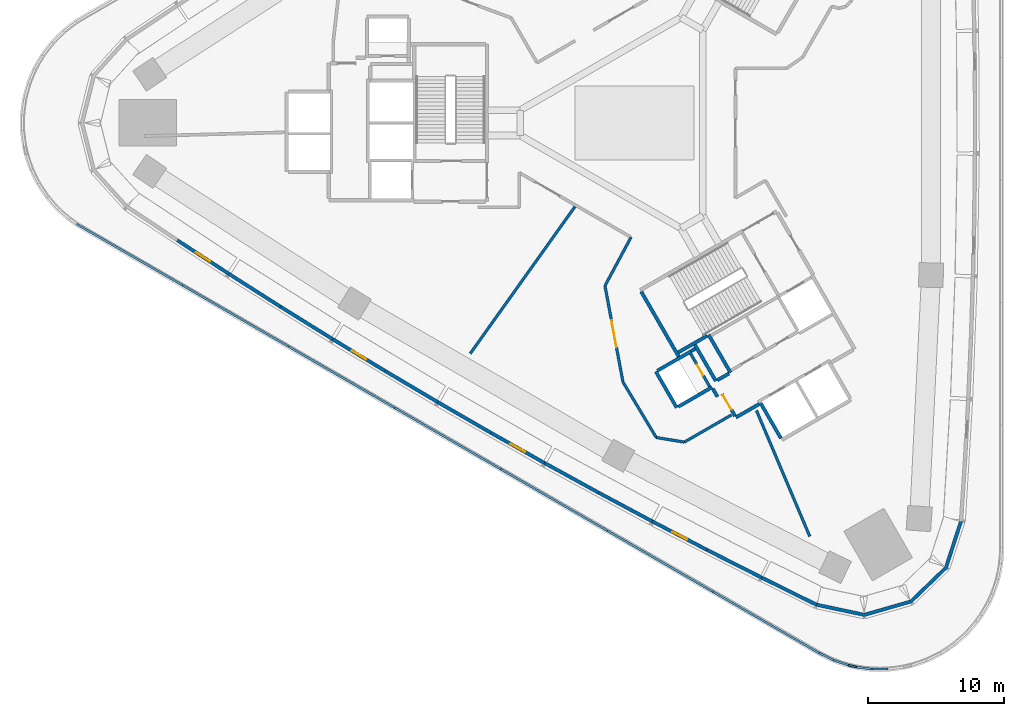
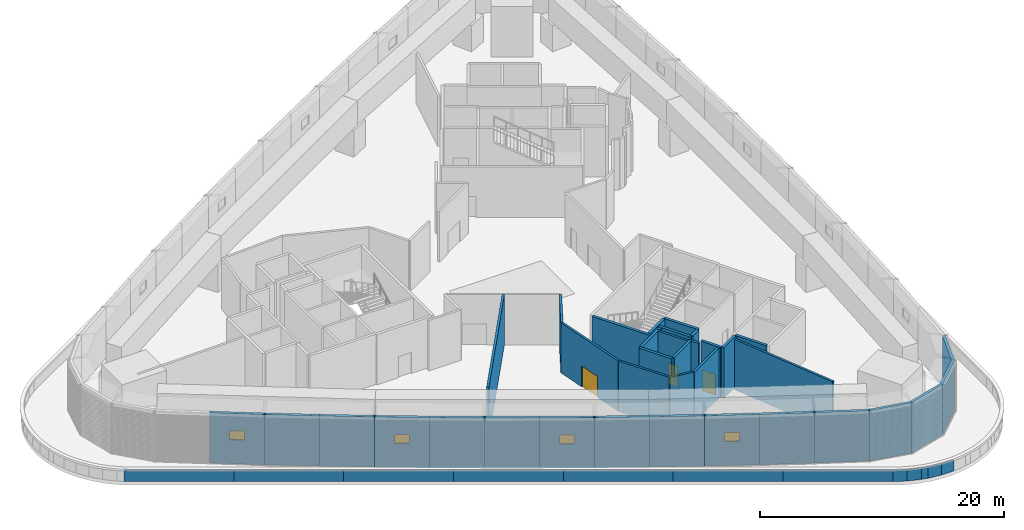
# One storey, part 2 of 11: 46 walls, 4 windows, 3 doors, 7 openings.
"""IFC4 building model written with IfcOpenShell, lengths in metres."""

from ifc_helpers import new_model, si_unit, direction, frame, frame_2d, origin, place, context, subcontext, project, spatial, polyline, rectangle, outline, extrude, material, layer, layer_set, type_object, element, fill, save


model = new_model("IFC4")

# Units and contexts
model_context = context("Model", 3, precision=1e-05, world=origin(), true_north=direction((0.0, 1.0)))
body_context = subcontext(model_context, "Body", "Model", "MODEL_VIEW")
ifc_project = project(units=[si_unit("LENGTHUNIT", "METRE"), si_unit("AREAUNIT", "SQUARE_METRE"), si_unit("VOLUMEUNIT", "CUBIC_METRE"), si_unit("PLANEANGLEUNIT", "RADIAN"), si_unit("MASSUNIT", "GRAM", prefix="KILO")], contexts=[model_context])

# Site, building, storey
site_placement = place(None, origin())
site = spatial("IfcSite", under=ifc_project, at=site_placement, CompositionType="ELEMENT")
building_placement = place(site_placement, origin())
building = spatial("IfcBuilding", under=site, at=building_placement, Name="Tamra Quay Hotel Tower", CompositionType="ELEMENT")
storey_placement = place(building_placement, frame((0.0, 0.0, 29.5)))
storey = spatial("IfcBuildingStorey", under=building, at=storey_placement, Name="L05", CompositionType="ELEMENT", Elevation=29.5)

# Wall, opening, door
ifc_material_1 = material(Name="Concrete M70", Category="concrete")
ifc_layer_1 = layer(ifc_material_1, 0.199951171875)
ifc_layer_set_1 = layer_set([ifc_layer_1], Name="Concrete M70 core wall 200")
wall_type_1 = type_object("IfcWallType", Name="Concrete M70 core wall 200", PredefinedType="SHEAR", material=ifc_layer_set_1)
wall_1_placement = place(storey_placement, frame((5.50341796875, -19.352294921875, 0.0), z_axis=(0.0, 0.0, 1.0), x_axis=(-0.499986818241, 0.866033014143, 0.0)))
wall_1 = element("IfcWall", 1, at=wall_1_placement, inside=storey, type_object=wall_type_1, Name="CW2", PredefinedType="SHEAR", context=body_context, shape_type="SweptSolid", body=[
    extrude(rectangle(XDim=2.7978515625, YDim=0.199951171875, at=frame_2d((1.39892578125, 0.0))), origin(), (0.0, 0.0, 1.0), 5.02490234375),
])
opening_1_placement = place(wall_1_placement, frame((0.948974609375, 0.0, 0.0)))
opening_1 = element("IfcOpeningElement", 2, at=opening_1_placement, cuts=wall_1, Name="Opening D1", PredefinedType="OPENING", context=body_context, shape_type="SweptSolid", body=[
    extrude(rectangle(XDim=0.89990234375, YDim=2.10009765625, at=frame_2d((0.449951171875, 1.050048828125))), frame((0.0, 0.10986328125, 0.0), z_axis=(0.0, -1.0, 0.0), x_axis=(1.0, 0.0, 0.0)), (0.0, 0.0, 1.0), 0.219970703125),
])
ifc_material_2 = material(Name="Core door D1 900x2100 RH")
door_type_1 = type_object("IfcDoorType", Name="Core door D1 900x2100 RH", OperationType="NOTDEFINED", PredefinedType="DOOR", material=ifc_material_2)
door_1_placement = place(opening_1_placement, origin())
door_1 = element("IfcDoor", 3, at=door_1_placement, inside=storey, type_object=door_type_1, Name="D1", OperationType="SINGLE_SWING_RIGHT", OverallHeight=2.10009765625, OverallWidth=0.89990234375, PredefinedType="DOOR", context=body_context, shape_type="SweptSolid", body=[
    extrude(rectangle(XDim=0.89990234375, YDim=2.10009765625, at=frame_2d((0.449951171875, 1.050048828125))), frame((0.0, 0.02490234375, 0.0), z_axis=(0.0, -1.0, 0.0), x_axis=(1.0, 0.0, 0.0)), (0.0, 0.0, 1.0), 0.050048828125),
])
fill(opening_1, door_1)

# Walls
ifc_layer_2 = layer(ifc_material_1, 0.25)
ifc_layer_set_2 = layer_set([ifc_layer_2], Name="Concrete M70 core wall 250")
wall_type_2 = type_object("IfcWallType", Name="Concrete M70 core wall 250", PredefinedType="SHEAR", material=ifc_layer_set_2)
wall_2_placement = place(storey_placement, frame((3.23486328125, -17.15283203125, 0.0), z_axis=(0.0, 0.0, 1.0), x_axis=(-0.500008851346, 0.866020293397, 0.0)))
element("IfcWall", 4, at=wall_2_placement, inside=storey, type_object=wall_type_2, Name="CW1", PredefinedType="SHEAR", context=body_context, shape_type="SweptSolid", body=[
    extrude(rectangle(XDim=5.509765625, YDim=0.25, at=frame_2d((2.7548828125, 0.0))), origin(), (0.0, 0.0, 1.0), 5.02490234375),
])
wall_3_placement = place(storey_placement, frame((7.030517578125, -18.327392578125, 0.0), z_axis=(0.0, 0.0, 1.0), x_axis=(-0.499971222258, 0.866042017984, 0.0)))
element("IfcWall", 5, at=wall_3_placement, inside=storey, type_object=wall_type_2, Name="CW1", PredefinedType="SHEAR", context=body_context, shape_type="SweptSolid", body=[
    extrude(rectangle(XDim=3.199951171875, YDim=0.25, at=frame_2d((1.60009765625, 0.0))), origin(), (0.0, 0.0, 1.0), 5.02490234375),
])
wall_4_placement = place(storey_placement, frame((10.73583984375, -23.144775390625, 0.0), z_axis=(0.0, 0.0, 1.0), x_axis=(-0.500023226632, 0.866011993467, 0.0)))
element("IfcWall", 6, at=wall_4_placement, inside=storey, type_object=wall_type_2, Name="CW1", PredefinedType="SHEAR", context=body_context, shape_type="SweptSolid", body=[
    extrude(rectangle(XDim=2.974365234375, YDim=0.25, at=frame_2d((1.4873046875, 0.0))), origin(), (0.0, 0.0, 1.0), 5.02490234375),
])
wall_5_placement = place(storey_placement, frame((3.085205078125, -20.893798828125, 0.0), z_axis=(0.0, 0.0, 1.0), x_axis=(-0.499978833458, 0.866037623948, 0.0)))
element("IfcWall", 7, at=wall_5_placement, inside=storey, type_object=wall_type_2, Name="CW1", PredefinedType="SHEAR", context=body_context, shape_type="SweptSolid", body=[
    extrude(rectangle(XDim=3.050048828125, YDim=0.25, at=frame_2d((1.52490234375, 0.0))), origin(), (0.0, 0.0, 1.0), 5.02490234375),
])
wall_6_placement = place(storey_placement, frame((1.6689453125, -18.189697265625, 0.0), z_axis=(0.0, 0.0, 1.0), x_axis=(0.866042235819, 0.499970844928, 0.0)))
element("IfcWall", 8, at=wall_6_placement, inside=storey, type_object=wall_type_2, Name="CW1", PredefinedType="SHEAR", context=body_context, shape_type="SweptSolid", body=[
    extrude(rectangle(XDim=2.864501953125, YDim=0.25, at=frame_2d((1.43212890625, 0.0))), origin(), (0.0, 0.0, 1.0), 5.02490234375),
])
wall_7_placement = place(storey_placement, frame((5.6748046875, -19.39892578125, 0.0), z_axis=(0.0, 0.0, 1.0), x_axis=(-0.866026637627, -0.499997862916, 0.0)))
element("IfcWall", 9, at=wall_7_placement, inside=storey, type_object=wall_type_2, Name="CW1", PredefinedType="SHEAR", context=body_context, shape_type="SweptSolid", body=[
    extrude(rectangle(XDim=2.86474609375, YDim=0.25, at=frame_2d((1.432373046875, 0.0))), origin(), (0.0, 0.0, 1.0), 5.02490234375),
])
wall_8_placement = place(storey_placement, frame((4.414306640625, -16.275634765625, 0.0), z_axis=(0.0, 0.0, 1.0), x_axis=(0.500003324108, -0.866023484601, 0.0)))
element("IfcWall", 10, at=wall_8_placement, inside=storey, type_object=wall_type_2, Name="CW1", PredefinedType="SHEAR", context=body_context, shape_type="SweptSolid", body=[
    extrude(rectangle(XDim=3.0849609375, YDim=0.25, at=frame_2d((1.54248046875, 0.0))), origin(), (0.0, 0.0, 1.0), 5.02490234375),
])
wall_9_placement = place(storey_placement, frame((5.322021484375, -15.618896484375, 0.0), z_axis=(0.0, 0.0, 1.0), x_axis=(-0.866026229868, -0.499998569178, 0.0)))
element("IfcWall", 11, at=wall_9_placement, inside=storey, type_object=wall_type_2, Name="CW1", PredefinedType="SHEAR", context=body_context, shape_type="SweptSolid", body=[
    extrude(rectangle(XDim=2.44921875, YDim=0.25, at=frame_2d((1.224609375, 0.0))), origin(), (0.0, 0.0, 1.0), 5.02490234375),
])
wall_10_placement = place(storey_placement, frame((9.139892578125, -20.63134765625, 0.0), z_axis=(0.0, 0.0, 1.0), x_axis=(-0.866043531843, -0.499968599967, 0.0)))
element("IfcWall", 12, at=wall_10_placement, inside=storey, type_object=wall_type_2, Name="CW1", PredefinedType="SHEAR", context=body_context, shape_type="SweptSolid", body=[
    extrude(rectangle(XDim=1.974853515625, YDim=0.25, at=frame_2d((0.9873046875, 0.0))), origin(), (0.0, 0.0, 1.0), 5.02490234375),
])

# Wall, opening, door
wall_11_placement = place(storey_placement, frame((7.3671875, -21.51025390625, 0.0), z_axis=(0.0, 0.0, 1.0), x_axis=(-0.499983108224, 0.866035156036, 0.0)))
wall_11 = element("IfcWall", 13, at=wall_11_placement, inside=storey, type_object=wall_type_2, Name="CW1", PredefinedType="SHEAR", context=body_context, shape_type="SweptSolid", body=[
    extrude(rectangle(XDim=1.86474609375, YDim=0.25, at=frame_2d((0.932373046875, 0.0))), origin(), (0.0, 0.0, 1.0), 5.02490234375),
])
opening_2_placement = place(wall_11_placement, frame((0.53466796875, 0.0, 0.0)))
opening_2 = element("IfcOpeningElement", 14, at=opening_2_placement, cuts=wall_11, Name="Opening FD3", PredefinedType="OPENING", context=body_context, shape_type="SweptSolid", body=[
    extrude(rectangle(XDim=1.25, YDim=2.10009765625, at=frame_2d((0.625, 1.050048828125))), frame((0.0, 0.135009765625, 0.0), z_axis=(0.0, -1.0, 0.0), x_axis=(1.0, 0.0, 0.0)), (0.0, 0.0, 1.0), 0.27001953125),
])
ifc_material_3 = material(Name="Core door FD3 1250x2100 LH")
door_type_2 = type_object("IfcDoorType", Name="Core door FD3 1250x2100 LH", OperationType="NOTDEFINED", PredefinedType="DOOR", material=ifc_material_3)
door_2_placement = place(opening_2_placement, origin())
door_2 = element("IfcDoor", 15, at=door_2_placement, inside=storey, type_object=door_type_2, Name="FD3", OperationType="SINGLE_SWING_LEFT", OverallHeight=2.10009765625, OverallWidth=1.25, PredefinedType="DOOR", context=body_context, shape_type="SweptSolid", body=[
    extrude(rectangle(XDim=1.25, YDim=2.10009765625, at=frame_2d((0.625, 1.050048828125))), frame((0.0, 0.02490234375, 0.0), z_axis=(0.0, -1.0, 0.0), x_axis=(1.0, 0.0, 0.0)), (0.0, 0.0, 1.0), 0.050048828125),
])
fill(opening_2, door_2)

# Walls
wall_12_placement = place(storey_placement, frame((6.0654296875, -18.884765625, 0.0), z_axis=(0.0, 0.0, 1.0), x_axis=(0.866017078145, 0.500014420154, 0.0)))
element("IfcWall", 16, at=wall_12_placement, inside=storey, type_object=wall_type_2, Name="CW1", PredefinedType="SHEAR", context=body_context, shape_type="SweptSolid", body=[
    extrude(rectangle(XDim=0.9892578125, YDim=0.25, at=frame_2d((0.49462890625, 0.0))), origin(), (0.0, 0.0, 1.0), 5.02490234375),
])
wall_13_placement = place(storey_placement, frame((6.07958984375, -20.100341796875, 0.0), z_axis=(0.0, 0.0, 1.0), x_axis=(-0.500051773299, 0.865995510393, 0.0)))
element("IfcWall", 17, at=wall_13_placement, inside=storey, type_object=wall_type_2, Name="CW1", PredefinedType="SHEAR", context=body_context, shape_type="SweptSolid", body=[
    extrude(rectangle(XDim=0.6845703125, YDim=0.25, at=frame_2d((0.34228515625, 0.0))), origin(), (0.0, 0.0, 1.0), 5.02490234375),
])
wall_14_placement = place(storey_placement, frame((4.144775390625, -16.748779296875, 0.0), z_axis=(0.0, 0.0, 1.0), x_axis=(0.866185586049, 0.49972245349, 0.0)))
element("IfcWall", 18, at=wall_14_placement, inside=storey, type_object=wall_type_2, Name="CW1", PredefinedType="SHEAR", context=body_context, shape_type="SweptSolid", body=[
    extrude(rectangle(XDim=0.344482421875, YDim=0.25, at=frame_2d((0.17236328125, 0.0))), origin(), (0.0, 0.0, 1.0), 5.02490234375),
])

# Wall, opening, window
ifc_material_4 = material(Name="Blockwork masonry plastered", Category="masonry")
ifc_layer_3 = layer(ifc_material_4, 0.25)
ifc_layer_set_3 = layer_set([ifc_layer_3], Name="EXTERNAL WALL 250")
wall_type_3 = type_object("IfcWallType", Name="EXTERNAL WALL 250", PredefinedType="SOLIDWALL", material=ifc_layer_set_3)
wall_15_placement = place(storey_placement, frame((-29.783935546875, -11.073486328125, 0.0), z_axis=(0.0, 0.0, 1.0), x_axis=(-0.837723744948, 0.546094247499, 0.0)))
wall_15 = element("IfcWall", 19, at=wall_15_placement, inside=storey, type_object=wall_type_3, Name="EW1", PredefinedType="SOLIDWALL", context=body_context, shape_type="SweptSolid", body=[
    extrude(rectangle(XDim=4.50634765625, YDim=0.25, at=frame_2d((2.253173828125, 0.0))), origin(), (0.0, 0.0, 1.0), 5.02490234375),
])
opening_3_placement = place(wall_15_placement, frame((1.6533203125, 0.0, 2.39990234375)))
opening_3 = element("IfcOpeningElement", 20, at=opening_3_placement, cuts=wall_15, Name="Opening PW1", PredefinedType="OPENING", context=body_context, shape_type="SweptSolid", body=[
    extrude(rectangle(XDim=1.199951171875, YDim=0.89990234375, at=frame_2d((0.60009765625, 0.449951171875))), frame((0.0, 0.135009765625, 0.0), z_axis=(0.0, -1.0, 0.0), x_axis=(1.0, 0.0, 0.0)), (0.0, 0.0, 1.0), 0.27001953125),
])
ifc_material_5 = material(Name="Aluminium window with clear glass", Category="aluminium")
window_type = type_object("IfcWindowType", Name="PLANT WINDOW 1200X900", PartitioningType="SINGLE_PANEL", PredefinedType="WINDOW", material=ifc_material_5)
window_1_placement = place(opening_3_placement, origin())
window_1 = element("IfcWindow", 21, at=window_1_placement, inside=storey, type_object=window_type, Name="PW1", OverallHeight=0.89990234375, OverallWidth=1.199951171875, PartitioningType="SINGLE_PANEL", PredefinedType="WINDOW", context=body_context, shape_type="SweptSolid", body=[
    extrude(rectangle(XDim=1.199951171875, YDim=0.89990234375, at=frame_2d((0.60009765625, 0.449951171875))), frame((0.0, 0.030029296875, 0.0), z_axis=(0.0, -1.0, 0.0), x_axis=(1.0, 0.0, 0.0)), (0.0, 0.0, 1.0), 0.06005859375),
])
fill(opening_3, window_1)

# Walls
wall_16_placement = place(storey_placement, frame((-25.9853515625, -13.491455078125, 0.0), z_axis=(0.0, 0.0, 1.0), x_axis=(-0.84359675828, 0.536977196368, 0.0)))
element("IfcWall", 22, at=wall_16_placement, inside=storey, type_object=wall_type_3, Name="EW1", PredefinedType="SOLIDWALL", context=body_context, shape_type="SweptSolid", body=[
    extrude(rectangle(XDim=4.50439453125, YDim=0.25, at=frame_2d((2.252197265625, 0.0))), origin(), (0.0, 0.0, 1.0), 5.02490234375),
])
wall_17_placement = place(storey_placement, frame((-22.160888671875, -15.868408203125, 0.0), z_axis=(0.0, 0.0, 1.0), x_axis=(-0.849353628216, 0.527824226648, 0.0)))
element("IfcWall", 23, at=wall_17_placement, inside=storey, type_object=wall_type_3, Name="EW1", PredefinedType="SOLIDWALL", context=body_context, shape_type="SweptSolid", body=[
    extrude(rectangle(XDim=4.504150390625, YDim=0.25, at=frame_2d((2.251953125, 0.0))), origin(), (0.0, 0.0, 1.0), 5.02490234375),
])

# Wall, opening, window
wall_18_placement = place(storey_placement, frame((-18.30908203125, -18.205078125, 0.0), z_axis=(0.0, 0.0, 1.0), x_axis=(-0.85497800152, 0.518664262232, 0.0)))
wall_18 = element("IfcWall", 24, at=wall_18_placement, inside=storey, type_object=wall_type_3, Name="EW1", PredefinedType="SOLIDWALL", context=body_context, shape_type="SweptSolid", body=[
    extrude(rectangle(XDim=4.506591796875, YDim=0.25, at=frame_2d((2.25341796875, 0.0))), origin(), (0.0, 0.0, 1.0), 5.02490234375),
])
opening_4_placement = place(wall_18_placement, frame((1.6533203125, 0.0, 2.39990234375)))
opening_4 = element("IfcOpeningElement", 25, at=opening_4_placement, cuts=wall_18, Name="Opening PW1", PredefinedType="OPENING", context=body_context, shape_type="SweptSolid", body=[
    extrude(rectangle(XDim=1.199951171875, YDim=0.89990234375, at=frame_2d((0.60009765625, 0.449951171875))), frame((0.0, 0.135009765625, 0.0), z_axis=(0.0, -1.0, 0.0), x_axis=(1.0, 0.0, 0.0)), (0.0, 0.0, 1.0), 0.27001953125),
])
window_2_placement = place(opening_4_placement, origin())
window_2 = element("IfcWindow", 26, at=window_2_placement, inside=storey, type_object=window_type, Name="PW1", OverallHeight=0.89990234375, OverallWidth=1.199951171875, PartitioningType="SINGLE_PANEL", PredefinedType="WINDOW", context=body_context, shape_type="SweptSolid", body=[
    extrude(rectangle(XDim=1.199951171875, YDim=0.89990234375, at=frame_2d((0.60009765625, 0.449951171875))), frame((0.0, 0.030029296875, 0.0), z_axis=(0.0, -1.0, 0.0), x_axis=(1.0, 0.0, 0.0)), (0.0, 0.0, 1.0), 0.06005859375),
])
fill(opening_4, window_2)

# Walls
wall_19_placement = place(storey_placement, frame((-14.433837890625, -20.49853515625, 0.0), z_axis=(0.0, 0.0, 1.0), x_axis=(-0.860566985806, 0.509337278177, 0.0)))
element("IfcWall", 27, at=wall_19_placement, inside=storey, type_object=wall_type_3, Name="EW1", PredefinedType="SOLIDWALL", context=body_context, shape_type="SweptSolid", body=[
    extrude(rectangle(XDim=4.504150390625, YDim=0.25, at=frame_2d((2.251953125, 0.0))), origin(), (0.0, 0.0, 1.0), 5.02490234375),
])
wall_20_placement = place(storey_placement, frame((-10.5341796875, -22.750244140625, 0.0), z_axis=(0.0, 0.0, 1.0), x_axis=(-0.866023117852, 0.500003959331, 0.0)))
element("IfcWall", 28, at=wall_20_placement, inside=storey, type_object=wall_type_3, Name="EW1", PredefinedType="SOLIDWALL", context=body_context, shape_type="SweptSolid", body=[
    extrude(rectangle(XDim=4.50439453125, YDim=0.25, at=frame_2d((2.252197265625, 0.0))), origin(), (0.0, 0.0, 1.0), 5.02490234375),
])

# Wall, opening, window
wall_21_placement = place(storey_placement, frame((-6.6103515625, -24.959228515625, 0.0), z_axis=(0.0, 0.0, 1.0), x_axis=(-0.871397434976, 0.490577731167, 0.0)))
wall_21 = element("IfcWall", 29, at=wall_21_placement, inside=storey, type_object=wall_type_3, Name="EW1", PredefinedType="SOLIDWALL", context=body_context, shape_type="SweptSolid", body=[
    extrude(rectangle(XDim=4.50439453125, YDim=0.25, at=frame_2d((2.252197265625, 0.0))), origin(), (0.0, 0.0, 1.0), 5.02490234375),
])
opening_5_placement = place(wall_21_placement, frame((1.652099609375, 0.0, 2.39990234375)))
opening_5 = element("IfcOpeningElement", 30, at=opening_5_placement, cuts=wall_21, Name="Opening PW1", PredefinedType="OPENING", context=body_context, shape_type="SweptSolid", body=[
    extrude(rectangle(XDim=1.199951171875, YDim=0.89990234375, at=frame_2d((0.60009765625, 0.449951171875))), frame((0.0, 0.135009765625, 0.0), z_axis=(0.0, -1.0, 0.0), x_axis=(1.0, 0.0, 0.0)), (0.0, 0.0, 1.0), 0.27001953125),
])
window_3_placement = place(opening_5_placement, origin())
window_3 = element("IfcWindow", 31, at=window_3_placement, inside=storey, type_object=window_type, Name="PW1", OverallHeight=0.89990234375, OverallWidth=1.199951171875, PartitioningType="SINGLE_PANEL", PredefinedType="WINDOW", context=body_context, shape_type="SweptSolid", body=[
    extrude(rectangle(XDim=1.199951171875, YDim=0.89990234375, at=frame_2d((0.60009765625, 0.449951171875))), frame((0.0, 0.030029296875, 0.0), z_axis=(0.0, -1.0, 0.0), x_axis=(1.0, 0.0, 0.0)), (0.0, 0.0, 1.0), 0.06005859375),
])
fill(opening_5, window_3)

# Walls
wall_22_placement = place(storey_placement, frame((-2.660888671875, -27.126708984375, 0.0), z_axis=(0.0, 0.0, 1.0), x_axis=(-0.876652480285, 0.481124130355, 0.0)))
element("IfcWall", 32, at=wall_22_placement, inside=storey, type_object=wall_type_3, Name="EW1", PredefinedType="SOLIDWALL", context=body_context, shape_type="SweptSolid", body=[
    extrude(rectangle(XDim=4.506591796875, YDim=0.25, at=frame_2d((2.25341796875, 0.0))), origin(), (0.0, 0.0, 1.0), 5.02490234375),
])
wall_23_placement = place(storey_placement, frame((1.309814453125, -29.25048828125, 0.0), z_axis=(0.0, 0.0, 1.0), x_axis=(-0.88180770738, 0.471609125448, 0.0)))
element("IfcWall", 33, at=wall_23_placement, inside=storey, type_object=wall_type_3, Name="EW1", PredefinedType="SOLIDWALL", context=body_context, shape_type="SweptSolid", body=[
    extrude(rectangle(XDim=4.50439453125, YDim=0.25, at=frame_2d((2.252197265625, 0.0))), origin(), (0.0, 0.0, 1.0), 5.02490234375),
])

# Wall, opening, window
wall_24_placement = place(storey_placement, frame((5.30322265625, -31.3310546875, 0.0), z_axis=(0.0, 0.0, 1.0), x_axis=(-0.886844679975, 0.462067650458, 0.0)))
wall_24 = element("IfcWall", 34, at=wall_24_placement, inside=storey, type_object=wall_type_3, Name="EW1", PredefinedType="SOLIDWALL", context=body_context, shape_type="SweptSolid", body=[
    extrude(rectangle(XDim=4.50439453125, YDim=0.25, at=frame_2d((2.252197265625, 0.0))), origin(), (0.0, 0.0, 1.0), 5.02490234375),
])
opening_6_placement = place(wall_24_placement, frame((1.652099609375, 0.0, 2.39990234375)))
opening_6 = element("IfcOpeningElement", 35, at=opening_6_placement, cuts=wall_24, Name="Opening PW1", PredefinedType="OPENING", context=body_context, shape_type="SweptSolid", body=[
    extrude(rectangle(XDim=1.199951171875, YDim=0.89990234375, at=frame_2d((0.60009765625, 0.449951171875))), frame((0.0, 0.135009765625, 0.0), z_axis=(0.0, -1.0, 0.0), x_axis=(1.0, 0.0, 0.0)), (0.0, 0.0, 1.0), 0.27001953125),
])
window_4_placement = place(opening_6_placement, origin())
window_4 = element("IfcWindow", 36, at=window_4_placement, inside=storey, type_object=window_type, Name="PW1", OverallHeight=0.89990234375, OverallWidth=1.199951171875, PartitioningType="SINGLE_PANEL", PredefinedType="WINDOW", context=body_context, shape_type="SweptSolid", body=[
    extrude(rectangle(XDim=1.199951171875, YDim=0.89990234375, at=frame_2d((0.60009765625, 0.449951171875))), frame((0.0, 0.030029296875, 0.0), z_axis=(0.0, -1.0, 0.0), x_axis=(1.0, 0.0, 0.0)), (0.0, 0.0, 1.0), 0.06005859375),
])
fill(opening_6, window_4)

# Walls
wall_25_placement = place(storey_placement, frame((9.32080078125, -33.369384765625, 0.0), z_axis=(0.0, 0.0, 1.0), x_axis=(-0.891778772779, 0.452471679136, 0.0)))
element("IfcWall", 37, at=wall_25_placement, inside=storey, type_object=wall_type_3, Name="EW1", PredefinedType="SOLIDWALL", context=body_context, shape_type="SweptSolid", body=[
    extrude(rectangle(XDim=4.506591796875, YDim=0.25, at=frame_2d((2.25341796875, 0.0))), origin(), (0.0, 0.0, 1.0), 5.02490234375),
])
wall_26_placement = place(storey_placement, frame((13.357177734375, -35.36279296875, 0.0), z_axis=(0.0, 0.0, 1.0), x_axis=(-0.896606747497, 0.442827664382, 0.0)))
element("IfcWall", 38, at=wall_26_placement, inside=storey, type_object=wall_type_3, Name="EW1", PredefinedType="SOLIDWALL", context=body_context, shape_type="SweptSolid", body=[
    extrude(rectangle(XDim=4.503173828125, YDim=0.25, at=frame_2d((2.25146484375, 0.0))), origin(), (0.0, 0.0, 1.0), 5.02490234375),
])
wall_27_placement = place(storey_placement, origin())
element("IfcWall", 39, at=wall_27_placement, inside=storey, type_object=wall_type_3, Name="EW1", PredefinedType="SOLIDWALL", context=body_context, shape_type="SweptSolid", body=[
    extrude(outline(polyline([(13.302001953125, -35.474853515625), (16.851318359375, -36.229248046875), (20.33935546875, -35.22900390625), (22.94970703125, -32.708251953125), (24.071044921875, -29.257080078125), (23.83349609375, -29.179931640625), (22.731201171875, -32.57177734375), (20.210693359375, -35.005859375), (16.84228515625, -35.9716796875), (13.353759765625, -35.230224609375), (13.302001953125, -35.474853515625)])), origin(), (0.0, 0.0, 1.0), 5.02490234375),
])
ifc_material_6 = material(Name="Reinforced concrete M60 with render", Category="concrete")
ifc_layer_4 = layer(ifc_material_6, 0.14990234375)
ifc_layer_set_4 = layer_set([ifc_layer_4], Name="PARAPET WALL 150")
wall_type_4 = type_object("IfcWallType", Name="PARAPET WALL 150", PredefinedType="PARAPET", material=ifc_layer_set_4)
wall_28_placement = place(storey_placement, frame((-33.1767578125, -11.91650390625, 0.0), z_axis=(0.0, 0.0, 1.0), x_axis=(-0.865875788734, 0.500259051376, 0.0)))
element("IfcWall", 40, at=wall_28_placement, inside=storey, type_object=wall_type_4, Name="PW0", PredefinedType="PARAPET", context=body_context, shape_type="SweptSolid", body=[
    extrude(rectangle(XDim=8.991943359375, YDim=0.14990234375, at=frame_2d((4.49609375, 0.0))), origin(), (0.0, 0.0, 1.0), 1.10009765625),
])
for number, where, z_axis, x_axis, name in (
    (41, (-25.39111328125, -16.414794921875, 0.0), (0.0, 0.0, 1.0), (-0.865868993684, 0.500270812437, 0.0), "PW0"),
    (42, (-17.60546875, -20.9130859375, 0.0), (0.0, 0.0, 1.0), (-0.865868993684, 0.500270812437, 0.0), "PW0"),
):
    element("IfcWall", number, at=place(storey_placement, frame(where, z_axis=z_axis, x_axis=x_axis)), inside=storey, type_object=wall_type_4, Name=name, PredefinedType="PARAPET", context=body_context, shape_type="SweptSolid", body=[
        extrude(rectangle(XDim=8.99169921875, YDim=0.14990234375, at=frame_2d((4.495849609375, 0.0))), origin(), (0.0, 0.0, 1.0), 1.10009765625),
    ])
wall_29_placement = place(storey_placement, frame((-9.819580078125, -25.411376953125, 0.0), z_axis=(0.0, 0.0, 1.0), x_axis=(-0.865875788734, 0.500259051376, 0.0)))
element("IfcWall", 43, at=wall_29_placement, inside=storey, type_object=wall_type_4, Name="PW0", PredefinedType="PARAPET", context=body_context, shape_type="SweptSolid", body=[
    extrude(rectangle(XDim=8.991943359375, YDim=0.14990234375, at=frame_2d((4.49609375, 0.0))), origin(), (0.0, 0.0, 1.0), 1.10009765625),
])
for number, where, z_axis, x_axis, name in (
    (44, (-2.033935546875, -29.90966796875, 0.0), (0.0, 0.0, 1.0), (-0.865868993684, 0.500270812437, 0.0), "PW0"),
    (45, (5.751708984375, -34.407958984375, 0.0), (0.0, 0.0, 1.0), (-0.865868993684, 0.500270812437, 0.0), "PW0"),
):
    element("IfcWall", number, at=place(storey_placement, frame(where, z_axis=z_axis, x_axis=x_axis)), inside=storey, type_object=wall_type_4, Name=name, PredefinedType="PARAPET", context=body_context, shape_type="SweptSolid", body=[
        extrude(rectangle(XDim=8.99169921875, YDim=0.14990234375, at=frame_2d((4.495849609375, 0.0))), origin(), (0.0, 0.0, 1.0), 1.10009765625),
    ])
wall_30_placement = place(storey_placement, frame((13.53759765625, -38.90625, 0.0), z_axis=(0.0, 0.0, 1.0), x_axis=(-0.865875788734, 0.500259051376, 0.0)))
element("IfcWall", 46, at=wall_30_placement, inside=storey, type_object=wall_type_4, Name="PW0", PredefinedType="PARAPET", context=body_context, shape_type="SweptSolid", body=[
    extrude(rectangle(XDim=8.991943359375, YDim=0.14990234375, at=frame_2d((4.49609375, 0.0))), origin(), (0.0, 0.0, 1.0), 1.10009765625),
])
for number, where, z_axis, x_axis, name in (
    (47, (14.589111328125, -39.424560546875, 0.0), (0.0, 0.0, 1.0), (-0.896860728939, 0.442313048515, 0.0), "PW0"),
    (48, (15.69482421875, -39.79931640625, 0.0), (0.0, 0.0, 1.0), (-0.946926856189, 0.321449107992, 0.0), "PW0"),
):
    element("IfcWall", number, at=place(storey_placement, frame(where, z_axis=z_axis, x_axis=x_axis)), inside=storey, type_object=wall_type_4, Name=name, PredefinedType="PARAPET", context=body_context, shape_type="SweptSolid", body=[
        extrude(rectangle(XDim=1.17724609375, YDim=0.14990234375, at=frame_2d((0.588623046875, 0.0))), origin(), (0.0, 0.0, 1.0), 1.10009765625),
    ])
wall_31_placement = place(storey_placement, frame((16.26123046875, -39.930908203125, 0.0), z_axis=(0.0, 0.0, 1.0), x_axis=(-0.973850383023, 0.227190297955, 0.0)))
element("IfcWall", 49, at=wall_31_placement, inside=storey, type_object=wall_type_4, Name="PW0", PredefinedType="PARAPET", context=body_context, shape_type="SweptSolid", body=[
    extrude(rectangle(XDim=0.5888671875, YDim=0.14990234375, at=frame_2d((0.29443359375, 0.0))), origin(), (0.0, 0.0, 1.0), 1.10009765625),
])
for number, where, z_axis, x_axis, name in (
    (50, (17.421142578125, -40.083251953125, 0.0), (0.0, 0.0, 1.0), (-0.991456412916, 0.13043841952, 0.0), "PW0"),
    (51, (18.588623046875, -40.082763671875, 0.0), (0.0, 0.0, 1.0), (-1.0, 0.0, 0.0), "PW0"),
):
    element("IfcWall", number, at=place(storey_placement, frame(where, z_axis=z_axis, x_axis=x_axis)), inside=storey, type_object=wall_type_4, Name=name, PredefinedType="PARAPET", context=body_context, shape_type="SweptSolid", body=[
        extrude(rectangle(XDim=1.17724609375, YDim=0.14990234375, at=frame_2d((0.588623046875, 0.0))), origin(), (0.0, 0.0, 1.0), 1.10009765625),
    ])

# Wall, opening, door
ifc_material_7 = material(Name="Partition corridor wall")
ifc_layer_5 = layer(ifc_material_7, 0.199951171875)
ifc_layer_set_5 = layer_set([ifc_layer_5], Name="Partition corridor wall")
wall_type_5 = type_object("IfcWallType", Name="Partition corridor wall", PredefinedType="PARTITIONING", material=ifc_layer_set_5)
wall_32_placement = place(storey_placement, frame((-2.177978515625, -11.955078125, 0.0), z_axis=(0.0, 0.0, 1.0), x_axis=(0.183797992457, -0.982964036966, 0.0)))
wall_32 = element("IfcWall", 52, at=wall_32_placement, inside=storey, type_object=wall_type_5, Name="W-C", PredefinedType="PARTITIONING", context=body_context, shape_type="SweptSolid", body=[
    extrude(rectangle(XDim=7.18212890625, YDim=0.199951171875, at=frame_2d((3.591064453125, 0.0))), origin(), (0.0, 0.0, 1.0), 5.02490234375),
])
opening_7_placement = place(wall_32_placement, frame((2.591552734375, 0.0, 0.0)))
opening_7 = element("IfcOpeningElement", 53, at=opening_7_placement, cuts=wall_32, Name="Opening L05-D003", PredefinedType="OPENING", context=body_context, shape_type="SweptSolid", body=[
    extrude(rectangle(XDim=2.0, YDim=2.10009765625, at=frame_2d((1.0, 1.050048828125))), frame((0.0, 0.10986328125, 0.0), z_axis=(0.0, -1.0, 0.0), x_axis=(1.0, 0.0, 0.0)), (0.0, 0.0, 1.0), 0.219970703125),
])
ifc_material_8 = material(Name="Door double leaf 2000x2100")
door_type_3 = type_object("IfcDoorType", Name="Door double leaf 2000x2100", OperationType="DOUBLE_DOOR_SINGLE_SWING", PredefinedType="DOOR", material=ifc_material_8)
door_3_placement = place(opening_7_placement, frame((2.0, 0.0, 0.0), z_axis=(0.0, 0.0, 1.0), x_axis=(-1.0, 0.0, 0.0)))
door_3 = element("IfcDoor", 54, at=door_3_placement, inside=storey, type_object=door_type_3, Name="L05-D003", OperationType="DOUBLE_DOOR_SINGLE_SWING", OverallHeight=2.10009765625, OverallWidth=2.0, PredefinedType="DOOR", context=body_context, shape_type="SweptSolid", body=[
    extrude(rectangle(XDim=2.0, YDim=2.10009765625, at=frame_2d((1.0, 1.050048828125))), frame((0.0, 0.02490234375, 0.0), z_axis=(0.0, -1.0, 0.0), x_axis=(1.0, 0.0, 0.0)), (0.0, 0.0, 1.0), 0.050048828125),
])
fill(opening_7, door_3)

# Walls
wall_33_placement = place(storey_placement, frame((-2.177978515625, -11.955078125, 0.0), z_axis=(0.0, 0.0, 1.0), x_axis=(0.473055484912, 0.881032637417, 0.0)))
element("IfcWall", 55, at=wall_33_placement, inside=storey, type_object=wall_type_5, Name="W-C", PredefinedType="PARTITIONING", context=body_context, shape_type="SweptSolid", body=[
    extrude(rectangle(XDim=4.044189453125, YDim=0.199951171875, at=frame_2d((2.02197265625, 0.0))), origin(), (0.0, 0.0, 1.0), 5.02490234375),
])
wall_34_placement = place(storey_placement, frame((-0.85791015625, -19.014892578125, 0.0), z_axis=(0.0, 0.0, 1.0), x_axis=(0.514382306928, -0.857560984606, 0.0)))
element("IfcWall", 56, at=wall_34_placement, inside=storey, type_object=wall_type_5, Name="W-C", PredefinedType="PARTITIONING", context=body_context, shape_type="SweptSolid", body=[
    extrude(rectangle(XDim=4.747314453125, YDim=0.199951171875, at=frame_2d((2.37353515625, 0.0))), origin(), (0.0, 0.0, 1.0), 5.02490234375),
])
wall_35_placement = place(storey_placement, frame((1.583984375, -23.0859375, 0.0), z_axis=(0.0, 0.0, 1.0), x_axis=(0.986633159246, -0.162957077405, 0.0)))
element("IfcWall", 57, at=wall_35_placement, inside=storey, type_object=wall_type_5, Name="W-C", PredefinedType="PARTITIONING", context=body_context, shape_type="SweptSolid", body=[
    extrude(rectangle(XDim=2.0869140625, YDim=0.199951171875, at=frame_2d((1.04345703125, 0.0))), origin(), (0.0, 0.0, 1.0), 5.02490234375),
])
wall_36_placement = place(storey_placement, frame((3.64306640625, -23.426025390625, 0.0), z_axis=(0.0, 0.0, 1.0), x_axis=(0.866448769737, 0.499265990652, 0.0)))
element("IfcWall", 58, at=wall_36_placement, inside=storey, type_object=wall_type_5, Name="W-C", PredefinedType="PARTITIONING", context=body_context, shape_type="SweptSolid", body=[
    extrude(rectangle(XDim=3.998046875, YDim=0.199951171875, at=frame_2d((1.9990234375, 0.0))), origin(), (0.0, 0.0, 1.0), 5.02490234375),
])
ifc_material_9 = material(Name="Partition party wall")
ifc_layer_6 = layer(ifc_material_9, 0.199951171875)
ifc_layer_set_6 = layer_set([ifc_layer_6], Name="Partition party wall")
wall_type_6 = type_object("IfcWallType", Name="Partition party wall", PredefinedType="PARTITIONING", material=ifc_layer_set_6)
wall_37_placement = place(storey_placement, frame((-12.06494140625, -16.929931640625, 0.0), z_axis=(0.0, 0.0, 1.0), x_axis=(0.580338456909, 0.814375389751, 0.0)))
element("IfcWall", 59, at=wall_37_placement, inside=storey, type_object=wall_type_6, Name="W-P", PredefinedType="PARTITIONING", context=body_context, shape_type="SweptSolid", body=[
    extrude(rectangle(XDim=13.3525390625, YDim=0.199951171875, at=frame_2d((6.67626953125, 0.0))), origin(), (0.0, 0.0, 1.0), 5.02490234375),
])
wall_38_placement = place(storey_placement, frame((8.93798828125, -21.10791015625, 0.0), z_axis=(0.0, 0.0, 1.0), x_axis=(0.389872668815, -0.920868775728, 0.0)))
element("IfcWall", 60, at=wall_38_placement, inside=storey, type_object=wall_type_6, Name="W-P", PredefinedType="PARTITIONING", context=body_context, shape_type="SweptSolid", body=[
    extrude(rectangle(XDim=10.02880859375, YDim=0.199951171875, at=frame_2d((5.014404296875, 0.0))), origin(), (0.0, 0.0, 1.0), 5.02490234375),
])

save(model, "model.ifc")
